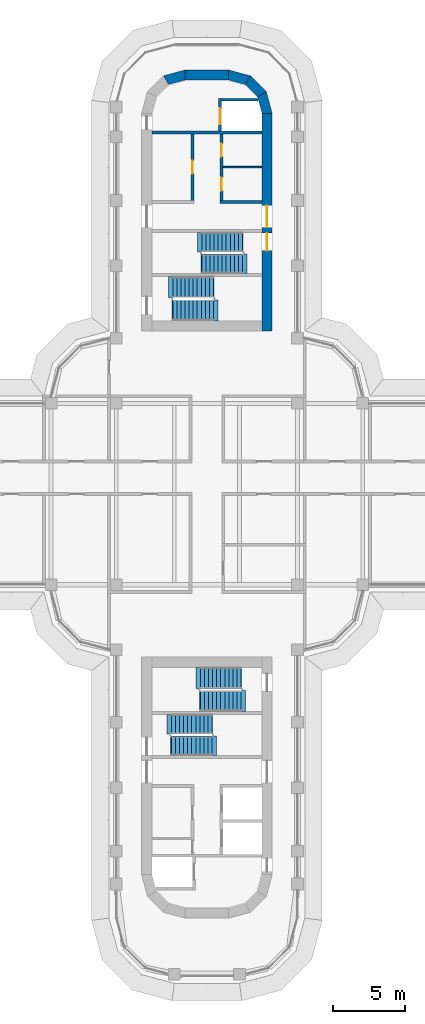
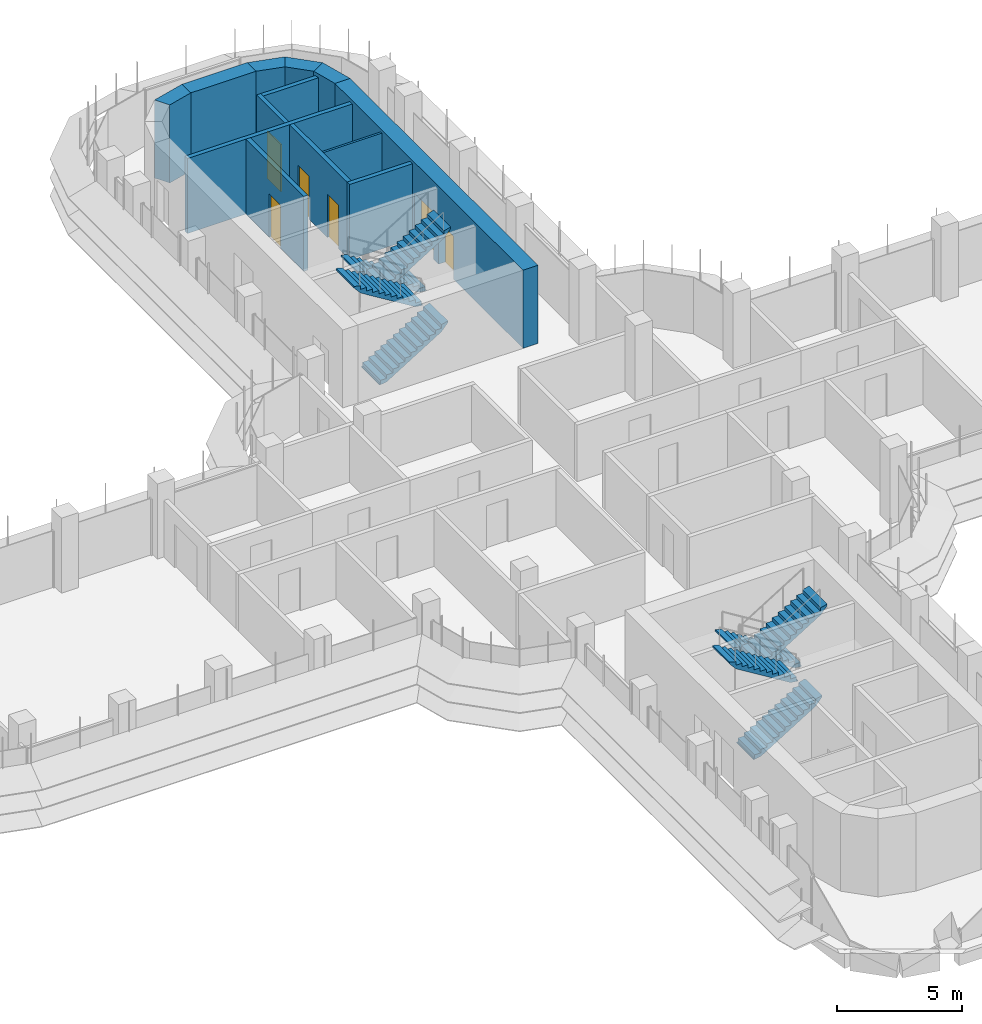
# One storey, part 16 of 20: 13 walls, 8 stair flights, 6 doors, 6 openings, 4 elements without a shape of their own.
"""IFC4 building model written with IfcOpenShell, lengths in metres."""

from ifc_helpers import new_model, si_unit, direction, frame, frame_2d, origin, place, context, subcontext, project, spatial, polyline, rectangle, outline, extrude, material, layer, layer_set, type_object, element, fill, aggregate, save


model = new_model("IFC4")

# Units and contexts
model_context = context("Model", 3, precision=1e-05, world=origin(), true_north=direction((0.0, 1.0)))
body_context = subcontext(model_context, "Body", "Model", "MODEL_VIEW")
ifc_project = project(units=[si_unit("LENGTHUNIT", "METRE"), si_unit("AREAUNIT", "SQUARE_METRE"), si_unit("VOLUMEUNIT", "CUBIC_METRE"), si_unit("PLANEANGLEUNIT", "RADIAN"), si_unit("MASSUNIT", "GRAM", prefix="KILO")], contexts=[model_context])

# Site, building, storey
site_placement = place(None, origin())
site = spatial("IfcSite", under=ifc_project, at=site_placement, CompositionType="ELEMENT")
building_placement = place(site_placement, origin())
building = spatial("IfcBuilding", under=site, at=building_placement, Name="Zarbagh Exchange Tower", CompositionType="ELEMENT")
storey_placement = place(building_placement, frame((0.0, 0.0, 148.60009765625)))
storey = spatial("IfcBuildingStorey", under=building, at=storey_placement, Name="L35", CompositionType="ELEMENT", Elevation=148.60009765625)

# Walls
ifc_material_1 = material(Name="Dense blockwork", Category="masonry")
ifc_layer_1 = layer(ifc_material_1, 0.10009765625)
ifc_layer_set_1 = layer_set([ifc_layer_1], Name="Core partition 100 mm blockwork")
wall_type_1 = type_object("IfcWallType", Name="Core partition 100 mm blockwork", PredefinedType="PARTITIONING", material=ifc_layer_set_1)
wall_1_placement = place(storey_placement, frame((1.10009765625, 22.550048828125, 0.0), z_axis=(0.0, 0.0, 1.0), x_axis=(1.0, 0.0, 0.0)))
element("IfcWall", 1, at=wall_1_placement, inside=storey, type_object=wall_type_1, Name="North core partition wall CUT-E-580", PredefinedType="PARTITIONING", context=body_context, shape_type="SweptSolid", body=[
    extrude(rectangle(XDim=2.699951171875, YDim=0.10009765625, at=frame_2d((1.35009765625, 0.0))), origin(), (0.0, 0.0, 1.0), 3.64990234375),
])
ifc_material_2 = material(Name="Concrete C50/60", Category="concrete")
ifc_layer_2 = layer(ifc_material_2, 0.699951171875)
ifc_layer_set_2 = layer_set([ifc_layer_2], Name="RC core corner wall 700 C50/60")
wall_type_2 = type_object("IfcWallType", Name="RC core corner wall 700 C50/60", PredefinedType="SHEAR", material=ifc_layer_set_2)
wall_2_placement = place(storey_placement, origin())
element("IfcWall", 2, at=wall_2_placement, inside=storey, type_object=wall_type_2, Name="CW6 core N corner W", PredefinedType="SHEAR", context=body_context, shape_type="SweptSolid", body=[
    extrude(outline(polyline([(-3.0, 28.84814453125), (-1.5, 29.25), (-1.5, 28.550048828125), (-2.64990234375, 28.241943359375), (-3.0, 28.84814453125)])), origin(), (0.0, 0.0, 1.0), 3.7998046875),
])
wall_3_placement = place(storey_placement, origin())
element("IfcWall", 3, at=wall_3_placement, inside=storey, type_object=wall_type_2, Name="CW6 core N corner E", PredefinedType="SHEAR", context=body_context, shape_type="SweptSolid", body=[
    extrude(outline(polyline([(4.5, 26.25), (4.09814453125, 27.75), (3.491943359375, 27.39990234375), (3.800048828125, 26.25), (4.5, 26.25)])), origin(), (0.0, 0.0, 1.0), 3.7998046875),
])
wall_4_placement = place(storey_placement, origin())
element("IfcWall", 4, at=wall_4_placement, inside=storey, type_object=wall_type_2, Name="CW6 core N corner E", PredefinedType="SHEAR", context=body_context, shape_type="SweptSolid", body=[
    extrude(outline(polyline([(4.09814453125, 27.75), (3.0, 28.84814453125), (2.64990234375, 28.241943359375), (3.491943359375, 27.39990234375), (4.09814453125, 27.75)])), origin(), (0.0, 0.0, 1.0), 3.7998046875),
])
wall_5_placement = place(storey_placement, origin())
element("IfcWall", 5, at=wall_5_placement, inside=storey, type_object=wall_type_2, Name="CW6 core N corner E", PredefinedType="SHEAR", context=body_context, shape_type="SweptSolid", body=[
    extrude(outline(polyline([(3.0, 28.84814453125), (1.5, 29.25), (1.5, 28.550048828125), (2.64990234375, 28.241943359375), (3.0, 28.84814453125)])), origin(), (0.0, 0.0, 1.0), 3.7998046875),
])

# Wall, openings, doors
ifc_layer_3 = layer(ifc_material_2, 0.699951171875)
ifc_layer_set_3 = layer_set([ifc_layer_3], Name="RC core wall 700 C50/60")
wall_type_3 = type_object("IfcWallType", Name="RC core wall 700 C50/60", PredefinedType="SHEAR", material=ifc_layer_set_3)
wall_6_placement = place(storey_placement, frame((4.14990234375, 11.25, 0.0), z_axis=(0.0, 0.0, 1.0), x_axis=(0.0, 1.0, 0.0)))
wall_6 = element("IfcWall", 6, at=wall_6_placement, inside=storey, type_object=wall_type_3, Name="CW5 core N E", PredefinedType="SHEAR", context=body_context, shape_type="SweptSolid", body=[
    extrude(rectangle(XDim=15.0, YDim=0.699951171875, at=frame_2d((7.5, 0.0))), origin(), (0.0, 0.0, 1.0), 3.7998046875),
])
opening_1_placement = place(wall_6_placement, frame((7.14990234375, 0.0, 0.0)))
opening_1 = element("IfcOpeningElement", 7, at=opening_1_placement, cuts=wall_6, Name="Opening CD1-1500", PredefinedType="OPENING", context=body_context, shape_type="SweptSolid", body=[
    extrude(rectangle(XDim=1.5, YDim=2.300048828125, at=frame_2d((0.75, 1.14990234375))), frame((0.0, 0.35986328125, 0.0), z_axis=(0.0, -1.0, 0.0), x_axis=(1.0, 0.0, 0.0)), (0.0, 0.0, 1.0), 0.719970703125),
])
opening_2_placement = place(wall_6_placement, frame((5.550048828125, 0.0, 0.0)))
opening_2 = element("IfcOpeningElement", 8, at=opening_2_placement, cuts=wall_6, Name="Opening SD1-1200", PredefinedType="OPENING", context=body_context, shape_type="SweptSolid", body=[
    extrude(rectangle(XDim=1.199951171875, YDim=2.10009765625, at=frame_2d((0.60009765625, 1.050048828125))), frame((0.0, 0.35986328125, 0.0), z_axis=(0.0, -1.0, 0.0), x_axis=(1.0, 0.0, 0.0)), (0.0, 0.0, 1.0), 0.719970703125),
])
ifc_material_3 = material(Name="Steel", Category="steel")
door_type_1 = type_object("IfcDoorType", Name="Exit stair door 1200 x 2100", OperationType="NOTDEFINED", PredefinedType="DOOR", material=ifc_material_3)
door_1_placement = place(opening_2_placement, origin())
door_1 = element("IfcDoor", 9, at=door_1_placement, inside=storey, type_object=door_type_1, Name="North core stair door ST1", OperationType="SINGLE_SWING_RIGHT", OverallHeight=2.10009765625, OverallWidth=1.199951171875, PredefinedType="DOOR", context=body_context, shape_type="SweptSolid", body=[
    extrude(rectangle(XDim=1.199951171875, YDim=2.10009765625, at=frame_2d((0.60009765625, 1.050048828125))), frame((0.0, 0.02490234375, 0.0), z_axis=(0.0, -1.0, 0.0), x_axis=(1.0, 0.0, 0.0)), (0.0, 0.0, 1.0), 0.050048828125),
])
fill(opening_2, door_1)
door_type_2 = type_object("IfcDoorType", Name="Lift lobby double door 1500 x 2300", OperationType="NOTDEFINED", PredefinedType="DOOR", material=ifc_material_3)
door_2_placement = place(opening_1_placement, origin())
door_2 = element("IfcDoor", 10, at=door_2_placement, inside=storey, type_object=door_type_2, Name="North core lift lobby door LOBBY-E", OperationType="DOUBLE_DOOR_SINGLE_SWING", OverallHeight=2.300048828125, OverallWidth=1.5, PredefinedType="DOOR", context=body_context, shape_type="SweptSolid", body=[
    extrude(rectangle(XDim=1.5, YDim=2.300048828125, at=frame_2d((0.75, 1.14990234375))), frame((0.0, 0.02490234375, 0.0), z_axis=(0.0, -1.0, 0.0), x_axis=(1.0, 0.0, 0.0)), (0.0, 0.0, 1.0), 0.050048828125),
])
fill(opening_1, door_2)

# Wall
wall_7_placement = place(storey_placement, frame((-1.5, 28.89990234375, 0.0), z_axis=(0.0, 0.0, 1.0), x_axis=(1.0, 0.0, 0.0)))
element("IfcWall", 11, at=wall_7_placement, inside=storey, type_object=wall_type_3, Name="CW5 core N outer end", PredefinedType="SHEAR", context=body_context, shape_type="SweptSolid", body=[
    extrude(rectangle(XDim=3.0, YDim=0.699951171875, at=frame_2d((1.5, 0.0))), origin(), (0.0, 0.0, 1.0), 3.7998046875),
])

# Wall, opening, door
ifc_layer_4 = layer(ifc_material_1, 0.199951171875)
ifc_layer_set_4 = layer_set([ifc_layer_4], Name="Shaft wall 200 mm blockwork")
wall_type_4 = type_object("IfcWallType", Name="Shaft wall 200 mm blockwork", PredefinedType="PARTITIONING", material=ifc_layer_set_4)
wall_8_placement = place(storey_placement, frame((-1.0, 24.85009765625, 0.0), z_axis=(0.0, 0.0, 1.0), x_axis=(0.0, -1.0, 0.0)))
wall_8 = element("IfcWall", 12, at=wall_8_placement, inside=storey, type_object=wall_type_4, Name="North core shaft wall LW-W", PredefinedType="PARTITIONING", context=body_context, shape_type="SweptSolid", body=[
    extrude(rectangle(XDim=4.60009765625, YDim=0.199951171875, at=frame_2d((2.300048828125, 0.0))), origin(), (0.0, 0.0, 1.0), 3.64990234375),
])
opening_3_placement = place(wall_8_placement, frame((1.85009765625, 0.0, 0.0)))
opening_3 = element("IfcOpeningElement", 13, at=opening_3_placement, cuts=wall_8, Name="Opening CD3-900", PredefinedType="OPENING", context=body_context, shape_type="SweptSolid", body=[
    extrude(rectangle(XDim=0.89990234375, YDim=2.10009765625, at=frame_2d((0.449951171875, 1.050048828125))), frame((0.0, 0.10986328125, 0.0), z_axis=(0.0, -1.0, 0.0), x_axis=(1.0, 0.0, 0.0)), (0.0, 0.0, 1.0), 0.219970703125),
])
door_type_3 = type_object("IfcDoorType", Name="Core room door 900 x 2100", OperationType="NOTDEFINED", PredefinedType="DOOR", material=ifc_material_3)
door_3_placement = place(opening_3_placement, origin())
door_3 = element("IfcDoor", 14, at=door_3_placement, inside=storey, type_object=door_type_3, Name="North core Riser store door RD-W-0", OperationType="SINGLE_SWING_RIGHT", OverallHeight=2.10009765625, OverallWidth=0.89990234375, PredefinedType="DOOR", context=body_context, shape_type="SweptSolid", body=[
    extrude(rectangle(XDim=0.89990234375, YDim=2.10009765625, at=frame_2d((0.449951171875, 1.050048828125))), frame((0.0, 0.02490234375, 0.0), z_axis=(0.0, -1.0, 0.0), x_axis=(1.0, 0.0, 0.0)), (0.0, 0.0, 1.0), 0.050048828125),
])
fill(opening_3, door_3)

# Wall
wall_9_placement = place(storey_placement, frame((0.89990234375, 20.14990234375, 0.0), z_axis=(0.0, 0.0, 1.0), x_axis=(1.0, 0.0, 0.0)))
element("IfcWall", 15, at=wall_9_placement, inside=storey, type_object=wall_type_4, Name="North core shaft wall AB-E", PredefinedType="PARTITIONING", context=body_context, shape_type="SweptSolid", body=[
    extrude(rectangle(XDim=2.900146484375, YDim=0.199951171875, at=frame_2d((1.4501953125, 0.0))), origin(), (0.0, 0.0, 1.0), 3.64990234375),
])

# Wall, openings, doors
wall_10_placement = place(storey_placement, frame((1.0, 24.85009765625, 0.0), z_axis=(0.0, 0.0, 1.0), x_axis=(0.0, -1.0, 0.0)))
wall_10 = element("IfcWall", 16, at=wall_10_placement, inside=storey, type_object=wall_type_4, Name="North core shaft wall LW-E", PredefinedType="PARTITIONING", context=body_context, shape_type="SweptSolid", body=[
    extrude(rectangle(XDim=4.60009765625, YDim=0.199951171875, at=frame_2d((2.300048828125, 0.0))), origin(), (0.0, 0.0, 1.0), 3.64990234375),
])
opening_4_placement = place(wall_10_placement, frame((0.675048828125, 0.0, 0.0)))
opening_4 = element("IfcOpeningElement", 17, at=opening_4_placement, cuts=wall_10, Name="Opening CD3-900", PredefinedType="OPENING", context=body_context, shape_type="SweptSolid", body=[
    extrude(rectangle(XDim=0.89990234375, YDim=2.10009765625, at=frame_2d((0.449951171875, 1.050048828125))), frame((0.0, 0.10986328125, 0.0), z_axis=(0.0, -1.0, 0.0), x_axis=(1.0, 0.0, 0.0)), (0.0, 0.0, 1.0), 0.219970703125),
])
opening_5_placement = place(wall_10_placement, frame((3.02490234375, 0.0, 0.0)))
opening_5 = element("IfcOpeningElement", 18, at=opening_5_placement, cuts=wall_10, Name="Opening CD3-900", PredefinedType="OPENING", context=body_context, shape_type="SweptSolid", body=[
    extrude(rectangle(XDim=0.89990234375, YDim=2.10009765625, at=frame_2d((0.449951171875, 1.050048828125))), frame((0.0, 0.10986328125, 0.0), z_axis=(0.0, -1.0, 0.0), x_axis=(1.0, 0.0, 0.0)), (0.0, 0.0, 1.0), 0.219970703125),
])
door_4_placement = place(opening_4_placement, origin())
door_4 = element("IfcDoor", 19, at=door_4_placement, inside=storey, type_object=door_type_3, Name="North core Staff WC door RD-E-0", OperationType="SINGLE_SWING_RIGHT", OverallHeight=2.10009765625, OverallWidth=0.89990234375, PredefinedType="DOOR", context=body_context, shape_type="SweptSolid", body=[
    extrude(rectangle(XDim=0.89990234375, YDim=2.10009765625, at=frame_2d((0.449951171875, 1.050048828125))), frame((0.0, 0.02490234375, 0.0), z_axis=(0.0, -1.0, 0.0), x_axis=(1.0, 0.0, 0.0)), (0.0, 0.0, 1.0), 0.050048828125),
])
fill(opening_4, door_4)
door_5_placement = place(opening_5_placement, origin())
door_5 = element("IfcDoor", 20, at=door_5_placement, inside=storey, type_object=door_type_3, Name="North core Accessible WC door RD-E-1", OperationType="SINGLE_SWING_LEFT", OverallHeight=2.10009765625, OverallWidth=0.89990234375, PredefinedType="DOOR", context=body_context, shape_type="SweptSolid", body=[
    extrude(rectangle(XDim=0.89990234375, YDim=2.10009765625, at=frame_2d((0.449951171875, 1.050048828125))), frame((0.0, 0.02490234375, 0.0), z_axis=(0.0, -1.0, 0.0), x_axis=(1.0, 0.0, 0.0)), (0.0, 0.0, 1.0), 0.050048828125),
])
fill(opening_5, door_5)

# Wall
ifc_material_4 = material(Name="Concrete C40/50", Category="concrete")
ifc_layer_5 = layer(ifc_material_4, 0.199951171875)
ifc_layer_set_5 = layer_set([ifc_layer_5], Name="Stair enclosure wall 200 mm RC C40/50")
wall_type_5 = type_object("IfcWallType", Name="Stair enclosure wall 200 mm RC C40/50", PredefinedType="SHEAR", material=ifc_layer_set_5)
wall_11_placement = place(storey_placement, frame((-3.800048828125, 24.949951171875, 0.0), z_axis=(0.0, 0.0, 1.0), x_axis=(1.0, 0.0, 0.0)))
element("IfcWall", 21, at=wall_11_placement, inside=storey, type_object=wall_type_5, Name="North core lift shaft wall FFA", PredefinedType="SHEAR", context=body_context, shape_type="SweptSolid", body=[
    extrude(rectangle(XDim=7.60009765625, YDim=0.199951171875, at=frame_2d((3.800048828125, 0.0))), origin(), (0.0, 0.0, 1.0), 3.64990234375),
])

# Wall, opening, door
wall_12_placement = place(storey_placement, frame((0.89990234375, 27.300048828125, 0.0), z_axis=(0.0, 0.0, 1.0), x_axis=(0.0, -1.0, 0.0)))
wall_12 = element("IfcWall", 22, at=wall_12_placement, inside=storey, type_object=wall_type_5, Name="North core lift shaft wall FFL", PredefinedType="SHEAR", context=body_context, shape_type="SweptSolid", body=[
    extrude(rectangle(XDim=2.25, YDim=0.199951171875, at=frame_2d((1.125, 0.0))), origin(), (0.0, 0.0, 1.0), 3.64990234375),
])
opening_6_placement = place(wall_12_placement, frame((0.699951171875, 0.0, 0.0)))
opening_6 = element("IfcOpeningElement", 23, at=opening_6_placement, cuts=wall_12, Name="Opening LD-1100", PredefinedType="OPENING", context=body_context, shape_type="SweptSolid", body=[
    extrude(rectangle(XDim=1.10009765625, YDim=2.300048828125, at=frame_2d((0.550048828125, 1.14990234375))), frame((0.0, 0.10986328125, 0.0), z_axis=(0.0, -1.0, 0.0), x_axis=(1.0, 0.0, 0.0)), (0.0, 0.0, 1.0), 0.219970703125),
])
ifc_material_5 = material(Name="Stainless steel", Category="steel")
door_type_4 = type_object("IfcDoorType", Name="Lift landing door 1100 x 2300", OperationType="NOTDEFINED", PredefinedType="DOOR", material=ifc_material_5)
door_6_placement = place(opening_6_placement, origin())
door_6 = element("IfcDoor", 24, at=door_6_placement, inside=storey, type_object=door_type_4, Name="North core lift landing door LD-F", OperationType="DOUBLE_DOOR_SLIDING", OverallHeight=2.300048828125, OverallWidth=1.10009765625, PredefinedType="DOOR", context=body_context, shape_type="SweptSolid", body=[
    extrude(rectangle(XDim=1.10009765625, YDim=2.300048828125, at=frame_2d((0.550048828125, 1.14990234375))), frame((0.0, 0.02490234375, 0.0), z_axis=(0.0, -1.0, 0.0), x_axis=(1.0, 0.0, 0.0)), (0.0, 0.0, 1.0), 0.050048828125),
])
fill(opening_6, door_6)

# Wall
wall_13_placement = place(storey_placement, origin())
element("IfcWall", 25, at=wall_13_placement, inside=storey, type_object=wall_type_5, Name="North core lift shaft wall FFX", PredefinedType="SHEAR", context=body_context, shape_type="SweptSolid", body=[
    extrude(outline(polyline([(1.0, 27.10009765625), (3.547607421875, 27.10009765625), (3.493896484375, 27.300048828125), (1.0, 27.300048828125), (1.0, 27.10009765625)])), origin(), (0.0, 0.0, 1.0), 3.64990234375),
])

# Stair, stair flights
stair_type = type_object("IfcStairType", Name="Exit stair two-flight half-turn", PredefinedType="HALF_TURN_STAIR", material=ifc_material_4)
stair_1_placement = place(storey_placement, origin())
stair_1 = element("IfcStair", 26, at=stair_1_placement, inside=storey, type_object=stair_type, Name="exit stair ST1", PredefinedType="HALF_TURN_STAIR")
stair_flight_type_1 = type_object("IfcStairFlightType", Name="Stair flight 1350 mm", PredefinedType="STRAIGHT", material=ifc_material_4)
stair_flight_1_placement = place(storey_placement, frame((2.449951171875, 17.375, 0.0), z_axis=(0.0, 0.0, 1.0), x_axis=(-1.0, 0.0, 0.0)))
stair_flight_1 = element("IfcStairFlight", 27, at=stair_flight_1_placement, type_object=stair_flight_type_1, Name="ST1 flight 1", NumberOfRisers=11, NumberOfTreads=10, PredefinedType="STRAIGHT", RiserHeight=0.172727273, TreadLength=0.28, context=body_context, shape_type="SweptSolid", body=[
    extrude(outline(polyline([(-0.050048828125, -0.050048828125), (-0.050048828125, 0.0), (0.0, 0.0), (0.0, 0.172607421875), (0.280029296875, 0.172607421875), (0.280029296875, 0.345458984375), (0.56005859375, 0.345458984375), (0.56005859375, 0.51806640625), (0.840087890625, 0.51806640625), (0.840087890625, 0.69091796875), (1.1201171875, 0.69091796875), (1.1201171875, 0.863525390625), (1.39990234375, 0.863525390625), (1.39990234375, 1.036376953125), (1.679931640625, 1.036376953125), (1.679931640625, 1.208984375), (1.9599609375, 1.208984375), (1.9599609375, 1.3818359375), (2.239990234375, 1.3818359375), (2.239990234375, 1.554443359375), (2.52001953125, 1.554443359375), (2.52001953125, 1.727294921875), (2.800048828125, 1.727294921875), (2.800048828125, 1.89990234375), (3.10009765625, 1.97998046875), (3.10009765625, 1.89990234375), (2.800048828125, 1.551025390625), (0.285400390625, 0.0), (-0.050048828125, -0.050048828125)])), frame((0.0, 0.675048828125, 0.0), z_axis=(0.0, -1.0, 0.0), x_axis=(1.0, 0.0, 0.0)), (0.0, 0.0, 1.0), 1.35009765625),
])
stair_flight_2_placement = place(storey_placement, frame((-0.35009765625, 15.875, 1.89990234375), z_axis=(0.0, 0.0, 1.0), x_axis=(1.0, 0.0, 0.0)))
stair_flight_2 = element("IfcStairFlight", 28, at=stair_flight_2_placement, type_object=stair_flight_type_1, Name="ST1 flight 2", NumberOfRisers=11, NumberOfTreads=10, PredefinedType="STRAIGHT", RiserHeight=0.172727273, TreadLength=0.28, context=body_context, shape_type="SweptSolid", body=[
    extrude(outline(polyline([(-0.050048828125, -0.050048828125), (-0.050048828125, 0.0), (0.0, 0.0), (0.0, 0.172607421875), (0.280029296875, 0.172607421875), (0.280029296875, 0.345458984375), (0.56005859375, 0.345458984375), (0.56005859375, 0.51806640625), (0.840087890625, 0.51806640625), (0.840087890625, 0.69091796875), (1.1201171875, 0.69091796875), (1.1201171875, 0.863525390625), (1.39990234375, 0.863525390625), (1.39990234375, 1.036376953125), (1.679931640625, 1.036376953125), (1.679931640625, 1.208984375), (1.9599609375, 1.208984375), (1.9599609375, 1.3818359375), (2.239990234375, 1.3818359375), (2.239990234375, 1.554443359375), (2.52001953125, 1.554443359375), (2.52001953125, 1.727294921875), (2.800048828125, 1.727294921875), (2.800048828125, 1.89990234375), (3.10009765625, 1.97998046875), (3.10009765625, 1.89990234375), (2.800048828125, 1.551025390625), (0.285400390625, 0.0), (-0.050048828125, -0.050048828125)])), frame((0.0, 0.675048828125, 0.0), z_axis=(0.0, -1.0, 0.0), x_axis=(1.0, 0.0, 0.0)), (0.0, 0.0, 1.0), 1.35009765625),
])
aggregate(stair_1, [stair_flight_1, stair_flight_2])

stair_2_placement = place(storey_placement, origin())
stair_2 = element("IfcStair", 29, at=stair_2_placement, inside=storey, type_object=stair_type, Name="exit stair ST3", PredefinedType="HALF_TURN_STAIR")
stair_flight_3_placement = place(storey_placement, frame((-2.449951171875, -17.375, 0.0), z_axis=(0.0, 0.0, 1.0), x_axis=(1.0, 0.0, 0.0)))
stair_flight_3 = element("IfcStairFlight", 30, at=stair_flight_3_placement, type_object=stair_flight_type_1, Name="ST3 flight 1", NumberOfRisers=11, NumberOfTreads=10, PredefinedType="STRAIGHT", RiserHeight=0.172727273, TreadLength=0.28, context=body_context, shape_type="SweptSolid", body=[
    extrude(outline(polyline([(-0.050048828125, -0.050048828125), (-0.050048828125, 0.0), (0.0, 0.0), (0.0, 0.172607421875), (0.280029296875, 0.172607421875), (0.280029296875, 0.345458984375), (0.56005859375, 0.345458984375), (0.56005859375, 0.51806640625), (0.840087890625, 0.51806640625), (0.840087890625, 0.69091796875), (1.1201171875, 0.69091796875), (1.1201171875, 0.863525390625), (1.39990234375, 0.863525390625), (1.39990234375, 1.036376953125), (1.679931640625, 1.036376953125), (1.679931640625, 1.208984375), (1.9599609375, 1.208984375), (1.9599609375, 1.3818359375), (2.239990234375, 1.3818359375), (2.239990234375, 1.554443359375), (2.52001953125, 1.554443359375), (2.52001953125, 1.727294921875), (2.800048828125, 1.727294921875), (2.800048828125, 1.89990234375), (3.10009765625, 1.97998046875), (3.10009765625, 1.89990234375), (2.800048828125, 1.551025390625), (0.285400390625, 0.0), (-0.050048828125, -0.050048828125)])), frame((0.0, 0.675048828125, 0.0), z_axis=(0.0, -1.0, 0.0), x_axis=(1.0, 0.0, 0.0)), (0.0, 0.0, 1.0), 1.35009765625),
])
stair_flight_4_placement = place(storey_placement, frame((0.35009765625, -15.875, 1.89990234375), z_axis=(0.0, 0.0, 1.0), x_axis=(-1.0, 0.0, 0.0)))
stair_flight_4 = element("IfcStairFlight", 31, at=stair_flight_4_placement, type_object=stair_flight_type_1, Name="ST3 flight 2", NumberOfRisers=11, NumberOfTreads=10, PredefinedType="STRAIGHT", RiserHeight=0.172727273, TreadLength=0.28, context=body_context, shape_type="SweptSolid", body=[
    extrude(outline(polyline([(-0.050048828125, -0.050048828125), (-0.050048828125, 0.0), (0.0, 0.0), (0.0, 0.172607421875), (0.280029296875, 0.172607421875), (0.280029296875, 0.345458984375), (0.56005859375, 0.345458984375), (0.56005859375, 0.51806640625), (0.840087890625, 0.51806640625), (0.840087890625, 0.69091796875), (1.1201171875, 0.69091796875), (1.1201171875, 0.863525390625), (1.39990234375, 0.863525390625), (1.39990234375, 1.036376953125), (1.679931640625, 1.036376953125), (1.679931640625, 1.208984375), (1.9599609375, 1.208984375), (1.9599609375, 1.3818359375), (2.239990234375, 1.3818359375), (2.239990234375, 1.554443359375), (2.52001953125, 1.554443359375), (2.52001953125, 1.727294921875), (2.800048828125, 1.727294921875), (2.800048828125, 1.89990234375), (3.10009765625, 1.97998046875), (3.10009765625, 1.89990234375), (2.800048828125, 1.551025390625), (0.285400390625, 0.0), (-0.050048828125, -0.050048828125)])), frame((0.0, 0.675048828125, 0.0), z_axis=(0.0, -1.0, 0.0), x_axis=(1.0, 0.0, 0.0)), (0.0, 0.0, 1.0), 1.35009765625),
])
aggregate(stair_2, [stair_flight_3, stair_flight_4])

stair_3_placement = place(storey_placement, origin())
stair_3 = element("IfcStair", 32, at=stair_3_placement, inside=storey, type_object=stair_type, Name="exit stair ST2", PredefinedType="HALF_TURN_STAIR")
stair_flight_type_2 = type_object("IfcStairFlightType", Name="Stair flight 1450 mm", PredefinedType="STRAIGHT", material=ifc_material_4)
stair_flight_5_placement = place(storey_placement, frame((-2.35009765625, 12.675048828125, 0.0), z_axis=(0.0, 0.0, 1.0), x_axis=(1.0, 0.0, 0.0)))
stair_flight_5 = element("IfcStairFlight", 33, at=stair_flight_5_placement, type_object=stair_flight_type_2, Name="ST2 flight 1", NumberOfRisers=11, NumberOfTreads=10, PredefinedType="STRAIGHT", RiserHeight=0.172727273, TreadLength=0.28, context=body_context, shape_type="SweptSolid", body=[
    extrude(outline(polyline([(-0.050048828125, -0.050048828125), (-0.050048828125, 0.0), (0.0, 0.0), (0.0, 0.172607421875), (0.280029296875, 0.172607421875), (0.280029296875, 0.345458984375), (0.56005859375, 0.345458984375), (0.56005859375, 0.51806640625), (0.840087890625, 0.51806640625), (0.840087890625, 0.69091796875), (1.1201171875, 0.69091796875), (1.1201171875, 0.863525390625), (1.39990234375, 0.863525390625), (1.39990234375, 1.036376953125), (1.679931640625, 1.036376953125), (1.679931640625, 1.208984375), (1.9599609375, 1.208984375), (1.9599609375, 1.3818359375), (2.239990234375, 1.3818359375), (2.239990234375, 1.554443359375), (2.52001953125, 1.554443359375), (2.52001953125, 1.727294921875), (2.800048828125, 1.727294921875), (2.800048828125, 1.89990234375), (3.10009765625, 1.97998046875), (3.10009765625, 1.89990234375), (2.800048828125, 1.551025390625), (0.285400390625, 0.0), (-0.050048828125, -0.050048828125)])), frame((0.0, 0.72509765625, 0.0), z_axis=(0.0, -1.0, 0.0), x_axis=(1.0, 0.0, 0.0)), (0.0, 0.0, 1.0), 1.449951171875),
])
stair_flight_6_placement = place(storey_placement, frame((0.449951171875, 14.27490234375, 1.89990234375), z_axis=(0.0, 0.0, 1.0), x_axis=(-1.0, 0.0, 0.0)))
stair_flight_6 = element("IfcStairFlight", 34, at=stair_flight_6_placement, type_object=stair_flight_type_2, Name="ST2 flight 2", NumberOfRisers=11, NumberOfTreads=10, PredefinedType="STRAIGHT", RiserHeight=0.172727273, TreadLength=0.28, context=body_context, shape_type="SweptSolid", body=[
    extrude(outline(polyline([(-0.050048828125, -0.050048828125), (-0.050048828125, 0.0), (0.0, 0.0), (0.0, 0.172607421875), (0.280029296875, 0.172607421875), (0.280029296875, 0.345458984375), (0.56005859375, 0.345458984375), (0.56005859375, 0.51806640625), (0.840087890625, 0.51806640625), (0.840087890625, 0.69091796875), (1.1201171875, 0.69091796875), (1.1201171875, 0.863525390625), (1.39990234375, 0.863525390625), (1.39990234375, 1.036376953125), (1.679931640625, 1.036376953125), (1.679931640625, 1.208984375), (1.9599609375, 1.208984375), (1.9599609375, 1.3818359375), (2.239990234375, 1.3818359375), (2.239990234375, 1.554443359375), (2.52001953125, 1.554443359375), (2.52001953125, 1.727294921875), (2.800048828125, 1.727294921875), (2.800048828125, 1.89990234375), (3.10009765625, 1.97998046875), (3.10009765625, 1.89990234375), (2.800048828125, 1.551025390625), (0.285400390625, 0.0), (-0.050048828125, -0.050048828125)])), frame((0.0, 0.72509765625, 0.0), z_axis=(0.0, -1.0, 0.0), x_axis=(1.0, 0.0, 0.0)), (0.0, 0.0, 1.0), 1.449951171875),
])
aggregate(stair_3, [stair_flight_5, stair_flight_6])

stair_4_placement = place(storey_placement, origin())
stair_4 = element("IfcStair", 35, at=stair_4_placement, inside=storey, type_object=stair_type, Name="exit stair ST4", PredefinedType="HALF_TURN_STAIR")
stair_flight_7_placement = place(storey_placement, frame((2.35009765625, -12.675048828125, 0.0), z_axis=(0.0, 0.0, 1.0), x_axis=(-1.0, 0.0, 0.0)))
stair_flight_7 = element("IfcStairFlight", 36, at=stair_flight_7_placement, type_object=stair_flight_type_2, Name="ST4 flight 1", NumberOfRisers=11, NumberOfTreads=10, PredefinedType="STRAIGHT", RiserHeight=0.172727273, TreadLength=0.28, context=body_context, shape_type="SweptSolid", body=[
    extrude(outline(polyline([(-0.050048828125, -0.050048828125), (-0.050048828125, 0.0), (0.0, 0.0), (0.0, 0.172607421875), (0.280029296875, 0.172607421875), (0.280029296875, 0.345458984375), (0.56005859375, 0.345458984375), (0.56005859375, 0.51806640625), (0.840087890625, 0.51806640625), (0.840087890625, 0.69091796875), (1.1201171875, 0.69091796875), (1.1201171875, 0.863525390625), (1.39990234375, 0.863525390625), (1.39990234375, 1.036376953125), (1.679931640625, 1.036376953125), (1.679931640625, 1.208984375), (1.9599609375, 1.208984375), (1.9599609375, 1.3818359375), (2.239990234375, 1.3818359375), (2.239990234375, 1.554443359375), (2.52001953125, 1.554443359375), (2.52001953125, 1.727294921875), (2.800048828125, 1.727294921875), (2.800048828125, 1.89990234375), (3.10009765625, 1.97998046875), (3.10009765625, 1.89990234375), (2.800048828125, 1.551025390625), (0.285400390625, 0.0), (-0.050048828125, -0.050048828125)])), frame((0.0, 0.72509765625, 0.0), z_axis=(0.0, -1.0, 0.0), x_axis=(1.0, 0.0, 0.0)), (0.0, 0.0, 1.0), 1.449951171875),
])
stair_flight_8_placement = place(storey_placement, frame((-0.449951171875, -14.27490234375, 1.89990234375), z_axis=(0.0, 0.0, 1.0), x_axis=(1.0, 0.0, 0.0)))
stair_flight_8 = element("IfcStairFlight", 37, at=stair_flight_8_placement, type_object=stair_flight_type_2, Name="ST4 flight 2", NumberOfRisers=11, NumberOfTreads=10, PredefinedType="STRAIGHT", RiserHeight=0.172727273, TreadLength=0.28, context=body_context, shape_type="SweptSolid", body=[
    extrude(outline(polyline([(-0.050048828125, -0.050048828125), (-0.050048828125, 0.0), (0.0, 0.0), (0.0, 0.172607421875), (0.280029296875, 0.172607421875), (0.280029296875, 0.345458984375), (0.56005859375, 0.345458984375), (0.56005859375, 0.51806640625), (0.840087890625, 0.51806640625), (0.840087890625, 0.69091796875), (1.1201171875, 0.69091796875), (1.1201171875, 0.863525390625), (1.39990234375, 0.863525390625), (1.39990234375, 1.036376953125), (1.679931640625, 1.036376953125), (1.679931640625, 1.208984375), (1.9599609375, 1.208984375), (1.9599609375, 1.3818359375), (2.239990234375, 1.3818359375), (2.239990234375, 1.554443359375), (2.52001953125, 1.554443359375), (2.52001953125, 1.727294921875), (2.800048828125, 1.727294921875), (2.800048828125, 1.89990234375), (3.10009765625, 1.97998046875), (3.10009765625, 1.89990234375), (2.800048828125, 1.551025390625), (0.285400390625, 0.0), (-0.050048828125, -0.050048828125)])), frame((0.0, 0.72509765625, 0.0), z_axis=(0.0, -1.0, 0.0), x_axis=(1.0, 0.0, 0.0)), (0.0, 0.0, 1.0), 1.449951171875),
])
aggregate(stair_4, [stair_flight_7, stair_flight_8])

save(model, "model.ifc")
